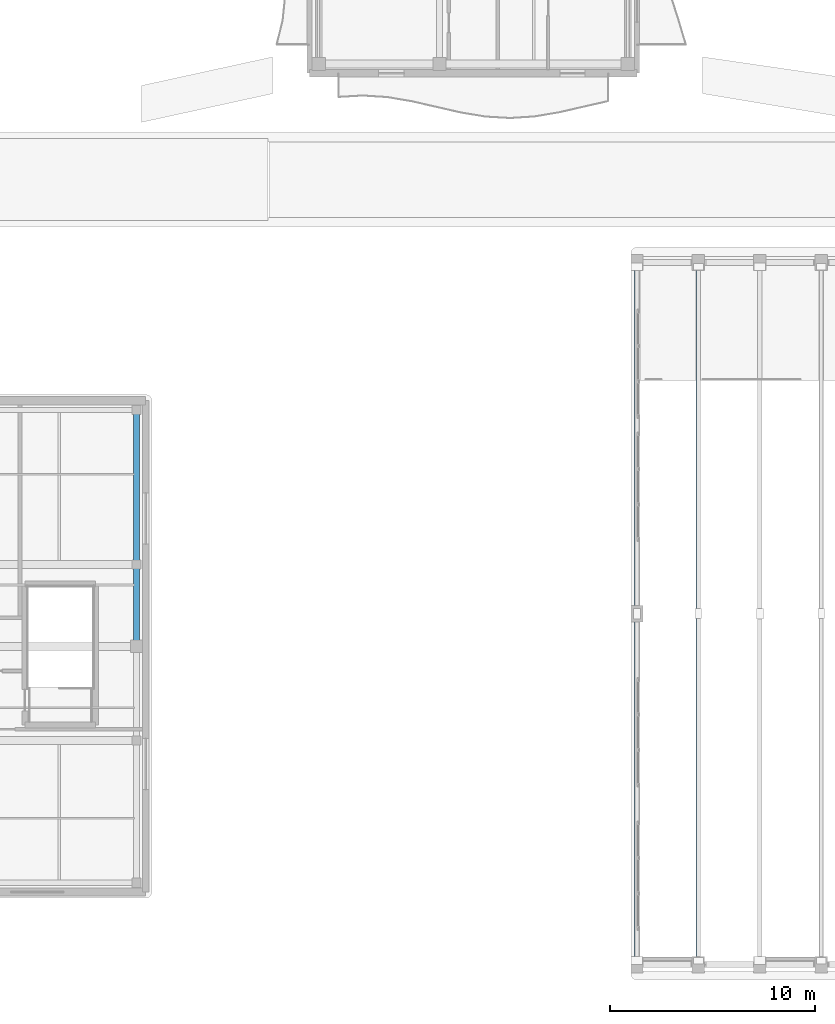
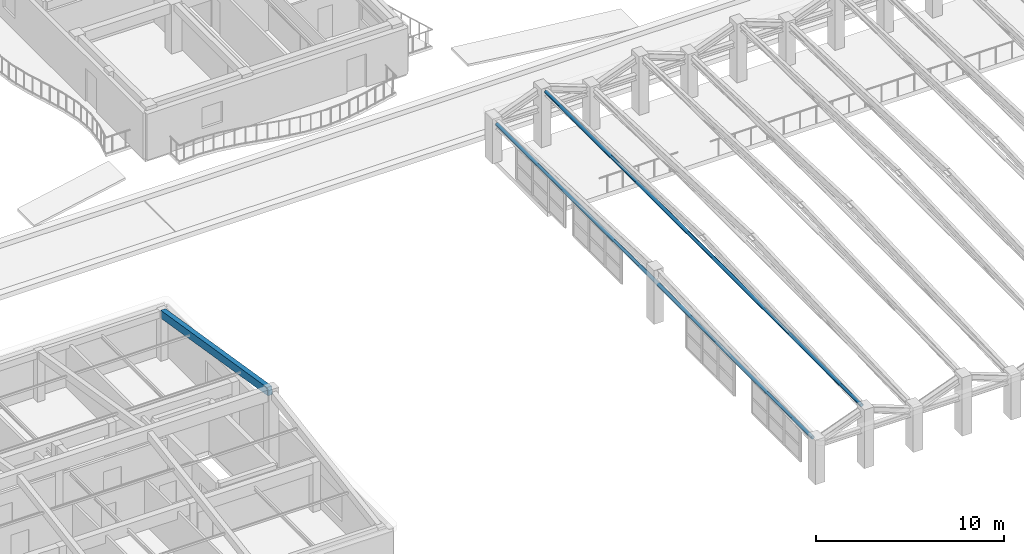
# One storey, part 14 of 128: 2 members, 1 beam.
"""IFC4 building model written with IfcOpenShell, lengths in metres."""

from ifc_helpers import new_model, si_unit, direction, frame, origin, origin_2d, place, context, subcontext, project, spatial, rectangle, hollow_circle, extrude, material, material_profile, profile_set, type_object, element, save


model = new_model("IFC4")

# Units and contexts
model_context = context("Model", 3, precision=1e-05, world=origin(), true_north=direction((0.0, 1.0)))
body_context = subcontext(model_context, "Body", "Model", "MODEL_VIEW")
ifc_project = project(units=[si_unit("LENGTHUNIT", "METRE"), si_unit("AREAUNIT", "SQUARE_METRE"), si_unit("VOLUMEUNIT", "CUBIC_METRE"), si_unit("PLANEANGLEUNIT", "RADIAN"), si_unit("MASSUNIT", "GRAM", prefix="KILO")], contexts=[model_context])

# Site, building, storey
site_placement = place(None, origin())
site = spatial("IfcSite", under=ifc_project, at=site_placement, CompositionType="ELEMENT")
building_placement = place(site_placement, origin())
building = spatial("IfcBuilding", under=site, at=building_placement, Name="Keldmere Railside Commons", CompositionType="ELEMENT")
storey_placement = place(building_placement, frame((0.0, 0.0, 4.159912109375)))
storey = spatial("IfcBuildingStorey", under=building, at=storey_placement, Name="L01", CompositionType="ELEMENT", Elevation=4.159912109375)

# Members
ifc_material_1 = material(Name="Steel F-36 (S355)", Category="steel")
ifc_material_profile_1 = material_profile(ifc_material_1, hollow_circle(Radius=0.109619140625, WallThickness=0.008056640625, at=origin_2d()), Name="CHS-219x8")
ifc_profile_set_1 = profile_set([ifc_material_profile_1], Name="Steel F-36 (S355)")
member_type = type_object("IfcMemberType", Name="Folded-Plate Transverse Tie Chord CHS219", PredefinedType="CHORD", material=ifc_profile_set_1)
for number, where, z_axis, x_axis, name in (
    (1, (67.0, 12.85009765625, 3.5400390625), (0.0, 1.0, 0.0), (-1.0, 0.0, 0.0), "CHD-1 MEM-RCHD-001"),
    (2, (64.0, 12.85009765625, 2.489990234375), (0.0, 1.0, 0.0), (-1.0, 0.0, 0.0), "CHD-1 MEM-CHD-002"),
):
    element("IfcMember", number, at=place(storey_placement, frame(where, z_axis=z_axis, x_axis=x_axis)), inside=storey, type_object=member_type, Name=name, PredefinedType="CHORD", context=body_context, shape_type="SweptSolid", body=[
        extrude(hollow_circle(Radius=0.109619140625, WallThickness=0.008056640625, at=origin_2d()), origin(), (0.0, 0.0, 1.0), 33.5),
    ])

# Beam
ifc_material_2 = material(Name="Concrete H-30 (C30/37)", Category="concrete")
ifc_material_profile_2 = material_profile(ifc_material_2, rectangle(XDim=0.300048828125, YDim=0.5, at=origin_2d()), Name="RC-300x500")
ifc_profile_set_2 = profile_set([ifc_material_profile_2], Name="Concrete H-30 (C30/37)")
beam_type = type_object("IfcBeamType", Name="Secondary Frame RC Beam 300x500", PredefinedType="BEAM", material=ifc_profile_set_2)
beam_placement = place(storey_placement, frame((39.550048828125, 28.14990234375, 4.7900390625), z_axis=(0.0, 0.987003101327, -0.160701207121), x_axis=(-1.0, 0.0, 0.0)))
element("IfcBeam", 3, at=beam_placement, inside=storey, type_object=beam_type, Name="BG-5 BM-L01-2669", PredefinedType="BEAM", context=body_context, shape_type="SweptSolid", body=[
    extrude(rectangle(XDim=0.300048828125, YDim=0.5, at=origin_2d()), origin(), (0.0, 0.0, 1.0), 11.44873046875),
])

save(model, "model.ifc")
